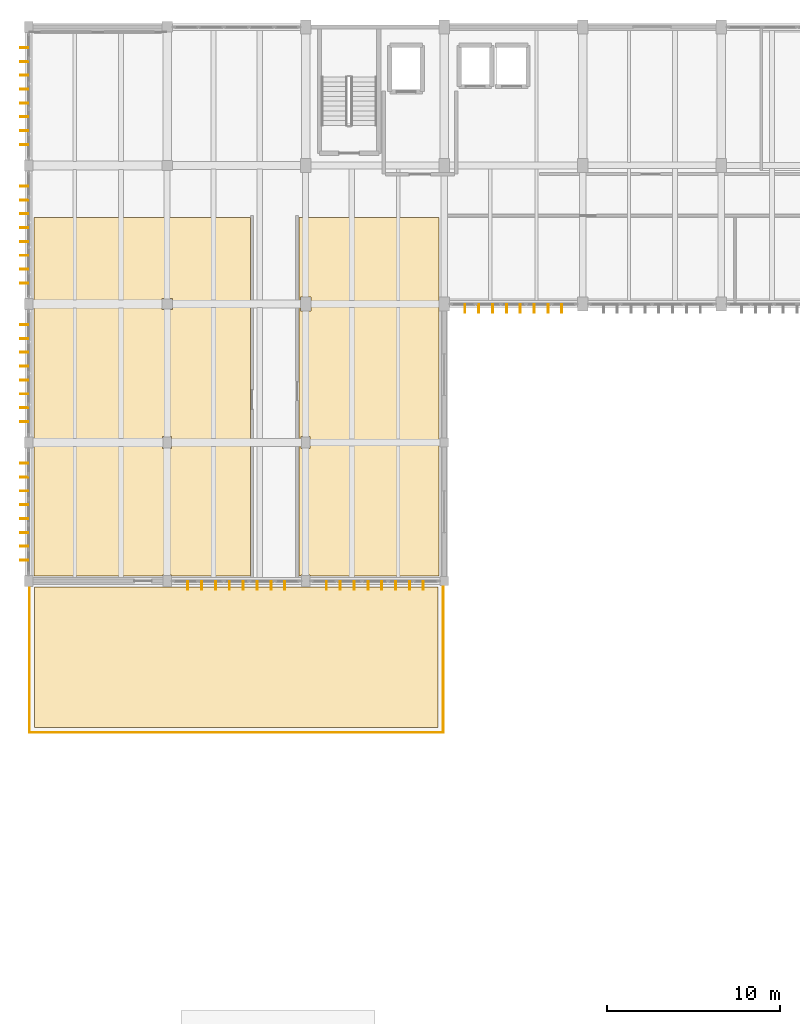
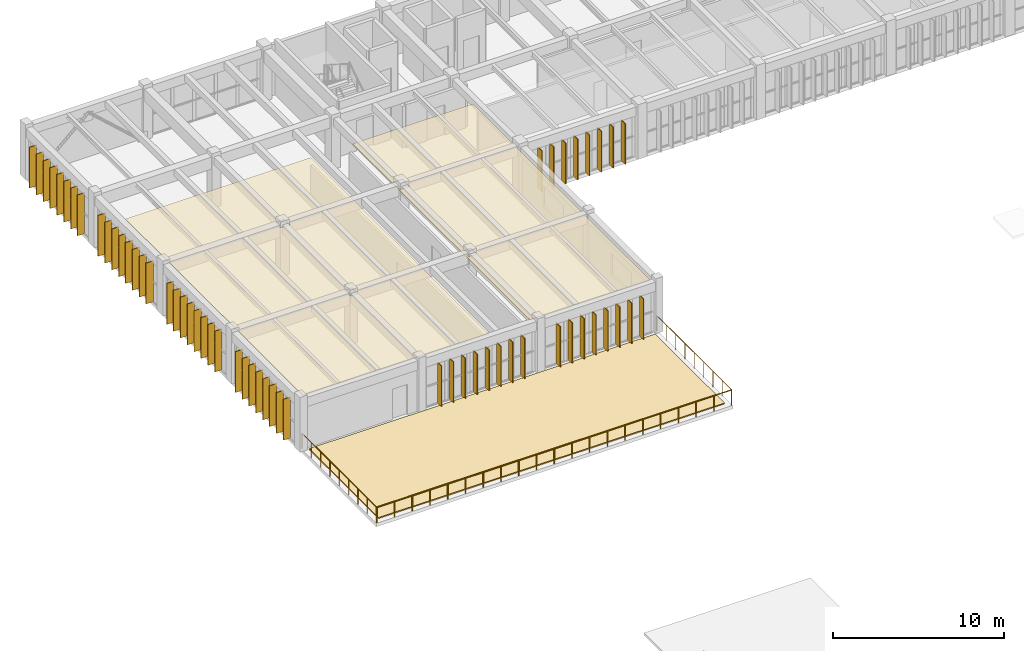
# One storey, part 24 of 31: 56 shading devices, 3 coverings, 3 railings.
"""IFC4 building model written with IfcOpenShell, lengths in metres."""

import ifcopenshell
import ifcopenshell.guid

model = None  # the IFC model being written
_history = None  # IfcOwnerHistory: only IFC2X3 demands one
_inside = {}  # id of a spatial element -> (the spatial element, [elements in it])
_under = {}  # id of a project, library or spatial element -> (it, [spatial elements below it])
_declared = {}  # id of a project -> (the project, [libraries it declares])
_typed = {}  # id of a type object -> (the type object, [elements of that type])
_made_of = {}  # id of a material, layer set ... -> (it, [elements and type objects made of it])


def new_model(schema):
    """Start an empty IFC model of exactly this schema.

    Asked for "IFC4X3", IfcOpenShell would pick the latest addendum, in which some entities
    have other attributes; the version numbers below select the first issue.
    IFC2X3 requires an IfcOwnerHistory on every rooted entity: one is made here for all.
    """
    global model, _history
    if schema == "IFC4X3":
        model = ifcopenshell.file(schema_version=(4, 3, 0, 0))
    else:
        model = ifcopenshell.file(schema=schema)
    _inside.clear()
    _under.clear()
    _declared.clear()
    _typed.clear()
    _made_of.clear()
    _history = None
    if model.schema == "IFC2X3":
        org = make("IfcOrganization", Name="unknown")
        user = make(
            "IfcPersonAndOrganization",
            ThePerson=make("IfcPerson", FamilyName="unknown"),
            TheOrganization=org,
        )
        app = make(
            "IfcApplication",
            ApplicationDeveloper=org,
            Version="unknown",
            ApplicationFullName="unknown",
            ApplicationIdentifier="unknown",
        )
        _history = make(
            "IfcOwnerHistory",
            OwningUser=user,
            OwningApplication=app,
            ChangeAction="ADDED",
            CreationDate=0,
        )
    return model


def make(cls, **values):
    """One entity of the class cls with the attributes given. An attribute that is None is left unset."""
    return model.create_entity(
        cls, **{name: value for name, value in values.items() if value is not None}
    )


def rooted(cls, **values):
    """An entity with a GlobalId (a new one), such as an element, a storey or a relation."""
    return make(cls, GlobalId=ifcopenshell.guid.new(), OwnerHistory=_history, **values)


def si_unit(unit_type, name, prefix=None):
    """IfcSIUnit, for example si_unit("LENGTHUNIT", "METRE", prefix="MILLI")."""
    return make("IfcSIUnit", UnitType=unit_type, Prefix=prefix, Name=name)


def assignment(units):
    """IfcUnitAssignment: the units of a project."""
    return None if units is None else make("IfcUnitAssignment", Units=units)


def point(xyz):
    """IfcCartesianPoint."""
    return None if xyz is None else make("IfcCartesianPoint", Coordinates=xyz)


def direction(xyz):
    """IfcDirection."""
    return None if xyz is None else make("IfcDirection", DirectionRatios=xyz)


def frame(location, z_axis=None, x_axis=None):
    """IfcAxis2Placement3D, a coordinate frame: its origin and axes. An axis left out is left unset."""
    return make(
        "IfcAxis2Placement3D",
        Location=point(location),
        Axis=direction(z_axis),
        RefDirection=direction(x_axis),
    )


def frame_2d(location, x_axis=None):
    """IfcAxis2Placement2D, a coordinate frame in the plane: its origin and x axis."""
    return make(
        "IfcAxis2Placement2D", Location=point(location), RefDirection=direction(x_axis)
    )


def origin():
    """The frame at (0, 0, 0) with its axes left unset."""
    return frame((0.0, 0.0, 0.0))


def origin_2d():
    """The frame at (0, 0) in the plane with its x axis left unset."""
    return frame_2d((0.0, 0.0))


def place(relative_to, where):
    """IfcLocalPlacement: puts the frame where relative to a parent placement (None: the world)."""
    return make(
        "IfcLocalPlacement", PlacementRelTo=relative_to, RelativePlacement=where
    )


def context(
    kind, dimensions, precision=None, world=None, true_north=None, identifier=None
):
    """IfcGeometricRepresentationContext, for example the 3D "Model" context."""
    return make(
        "IfcGeometricRepresentationContext",
        ContextIdentifier=identifier,
        ContextType=kind,
        CoordinateSpaceDimension=dimensions,
        Precision=precision,
        WorldCoordinateSystem=world,
        TrueNorth=true_north,
    )


def subcontext(parent, identifier, kind, view, scale=None):
    """IfcGeometricRepresentationSubContext, for example "Body" below "Model"."""
    return make(
        "IfcGeometricRepresentationSubContext",
        ContextIdentifier=identifier,
        ContextType=kind,
        ParentContext=parent,
        TargetScale=scale,
        TargetView=view,
    )


def project(units=None, contexts=None):
    """IfcProject with its units and contexts."""
    return rooted(
        "IfcProject",
        Name="project",
        RepresentationContexts=contexts,
        UnitsInContext=assignment(units),
    )


def spatial(cls, under=None, at=None, **own):
    """A site, building, storey or space (cls), placed at a placement, below another one or the project."""
    s = rooted(cls, ObjectPlacement=at, **own)
    if under is not None:
        _under.setdefault(under.id(), (under, []))[1].append(s)
    return s


def polyline(points):
    """IfcPolyline through the points."""
    return make("IfcPolyline", Points=[point(p) for p in points])


def profile(cls, at=None, kind="AREA", **sizes):
    """A parametric profile (cls). Its sizes go by their IFC names, for example OverallWidth=200.0."""
    return make(cls, ProfileType=kind, Position=at, **sizes)


def rectangle(**sizes):
    """IfcRectangleProfileDef."""
    return profile("IfcRectangleProfileDef", **sizes)


def circle(**sizes):
    """IfcCircleProfileDef."""
    return profile("IfcCircleProfileDef", **sizes)


def outline(outer, holes=None, kind="AREA"):
    """IfcArbitraryClosedProfileDef: a profile drawn as a closed curve; with holes, ...WithVoids."""
    if holes is None:
        return make("IfcArbitraryClosedProfileDef", ProfileType=kind, OuterCurve=outer)
    return make(
        "IfcArbitraryProfileDefWithVoids",
        ProfileType=kind,
        OuterCurve=outer,
        InnerCurves=holes,
    )


def extrude(swept, where, along, depth):
    """IfcExtrudedAreaSolid: the profile swept, set in the frame where, extruded along a direction by depth."""
    return make(
        "IfcExtrudedAreaSolid",
        SweptArea=swept,
        Position=where,
        ExtrudedDirection=direction(along),
        Depth=depth,
    )


def shape(context_of_items, identifier, shape_type, items):
    """IfcShapeRepresentation: the items that make up one representation, for example the "Body"."""
    return make(
        "IfcShapeRepresentation",
        ContextOfItems=context_of_items,
        RepresentationIdentifier=identifier,
        RepresentationType=shape_type,
        Items=items,
    )


def material(Name=None, Category=None):
    """IfcMaterial."""
    return make("IfcMaterial", Name=Name, Category=Category)


def layer(
    of_material, thickness, ventilated=None, Name=None, Category=None, Priority=None
):
    """IfcMaterialLayer: one layer of a wall or slab, of a material (None: an air gap)."""
    return make(
        "IfcMaterialLayer",
        Material=of_material,
        LayerThickness=thickness,
        IsVentilated=ventilated,
        Name=Name,
        Category=Category,
        Priority=Priority,
    )


def layer_set(layers, Name=None):
    """IfcMaterialLayerSet."""
    return make("IfcMaterialLayerSet", MaterialLayers=layers, LayerSetName=Name)


def made_of(thing, what):
    """Note that an element or type object is made of a material, layer set ...; save() writes the relation."""
    if what is not None:
        _made_of.setdefault(what.id(), (what, []))[1].append(thing)
    return thing


def type_object(cls, material=None, **own):
    """A type object (cls), such as IfcWallType, which elements share."""
    return made_of(rooted(cls, **own), material)


def element(
    cls,
    number,
    at=None,
    inside=None,
    cuts=None,
    type_object=None,
    material=None,
    context=None,
    identifier="Body",
    shape_type=None,
    held_by="IfcProductDefinitionShape",
    body=None,
    shapes=None,
    **own,
):
    """One element of the class cls, such as IfcWall. Its Tag is "e" and its number.

    at: its placement. inside: the storey or other place that contains it. cuts: it is an
    opening in that element (IfcRelVoidsElement). A single representation is given by context,
    identifier, shape_type and body (its items); several are given by shapes. held_by: the class
    of the entity that holds the representations. save() writes the other relations.
    """
    e = rooted(cls, Tag="e%d" % number, ObjectPlacement=at, **own)
    if body is not None:
        shapes = [shape(context, identifier, shape_type, body)]
    if shapes is not None:
        e.Representation = make(held_by, Representations=shapes)
    if inside is not None:
        _inside.setdefault(inside.id(), (inside, []))[1].append(e)
    if cuts is not None:
        rooted(
            "IfcRelVoidsElement", RelatingBuildingElement=cuts, RelatedOpeningElement=e
        )
    if type_object is not None:
        _typed.setdefault(type_object.id(), (type_object, []))[1].append(e)
    return made_of(e, material)


def aggregate(whole, parts):
    """IfcRelAggregates: a whole, such as a stair, and the parts it consists of."""
    return rooted("IfcRelAggregates", RelatingObject=whole, RelatedObjects=parts)


def save(model, path):
    """Write the relations noted so far, then the file.

    IfcRelAggregates (storeys below a building ...), IfcRelContainedInSpatialStructure (elements
    in a storey), IfcRelDefinesByType, IfcRelAssociatesMaterial and IfcRelDeclares: one each for
    every whole, place, type object, material and project.
    """
    for whole, parts in _under.values():
        aggregate(whole, parts)
    for where, things in _inside.values():
        rooted(
            "IfcRelContainedInSpatialStructure",
            RelatedElements=things,
            RelatingStructure=where,
        )
    for kind, things in _typed.values():
        rooted("IfcRelDefinesByType", RelatedObjects=things, RelatingType=kind)
    for what, things in _made_of.values():
        rooted("IfcRelAssociatesMaterial", RelatedObjects=things, RelatingMaterial=what)
    for by, libraries in _declared.values():
        rooted("IfcRelDeclares", RelatingContext=by, RelatedDefinitions=libraries)
    model.write(path)


model = new_model("IFC4")

# Units and contexts
model_context = context("Model", 3, precision=1e-05, world=origin(), true_north=direction((0.0, 1.0)))
body_context = subcontext(model_context, "Body", "Model", "MODEL_VIEW")
ifc_project = project(units=[si_unit("LENGTHUNIT", "METRE"), si_unit("AREAUNIT", "SQUARE_METRE"), si_unit("VOLUMEUNIT", "CUBIC_METRE"), si_unit("PLANEANGLEUNIT", "RADIAN"), si_unit("MASSUNIT", "GRAM", prefix="KILO")], contexts=[model_context])

# Site, building, storey
site_placement = place(None, origin())
site = spatial("IfcSite", under=ifc_project, at=site_placement, CompositionType="ELEMENT")
building_placement = place(site_placement, origin())
building = spatial("IfcBuilding", under=site, at=building_placement, Name="Tlaxcora Railside Police Headquarters", CompositionType="ELEMENT")
storey_placement = place(building_placement, frame((0.0, 0.0, 18.0)))
storey = spatial("IfcBuildingStorey", under=building, at=storey_placement, Name="L04", CompositionType="ELEMENT", Elevation=18.0)

# Coverings
ifc_material_1 = material(Name="Mineral-fibre acoustic ceiling tile")
ifc_layer_1 = layer(ifc_material_1, 0.034912109375, Name="Mineral-fibre acoustic ceiling tile")
ifc_layer_set_1 = layer_set([ifc_layer_1], Name="Mineral-fibre acoustic ceiling tile")
covering_type_1 = type_object("IfcCoveringType", Name="Acoustic Suspended Ceiling CLG-01", PredefinedType="CEILING", material=ifc_layer_set_1)
covering_1_placement = place(storey_placement, frame((0.0, 0.0, 3.465087890625)))
element("IfcCovering", 1, at=covering_1_placement, inside=storey, type_object=covering_type_1, Name="VIP and Diplomatic Protection Unit suspended ceiling", PredefinedType="CEILING", context=body_context, shape_type="SweptSolid", body=[
    extrude(outline(polyline([(18.0, 61.10009765625), (18.0, 81.800048828125), (5.5, 81.800048828125), (5.5, 61.10009765625), (12.93994140625, 61.10009765625), (12.93994140625, 61.135009765625), (13.4599609375, 61.135009765625), (13.4599609375, 61.10009765625), (18.0, 61.10009765625)]), holes=[polyline([(13.4599609375, 69.135009765625), (13.4599609375, 68.465087890625), (12.93994140625, 68.465087890625), (12.93994140625, 69.135009765625), (13.4599609375, 69.135009765625)]), polyline([(13.510009765625, 76.489990234375), (12.889892578125, 76.489990234375), (12.889892578125, 77.110107421875), (13.510009765625, 77.110107421875), (13.510009765625, 76.489990234375)])]), origin(), (0.0, 0.0, 1.0), 0.034912109375),
])
covering_2_placement = place(storey_placement, frame((0.0, 0.0, 3.465087890625)))
element("IfcCovering", 2, at=covering_2_placement, inside=storey, type_object=covering_type_1, Name="Court-Side Case Team Room L04 suspended ceiling", PredefinedType="CEILING", context=body_context, shape_type="SweptSolid", body=[
    extrude(outline(polyline([(21.4599609375, 61.10009765625), (28.89990234375, 61.10009765625), (28.89990234375, 76.389892578125), (28.889892578125, 76.389892578125), (28.889892578125, 77.2099609375), (28.89990234375, 77.2099609375), (28.89990234375, 81.800048828125), (20.800048828125, 81.800048828125), (20.800048828125, 61.10009765625), (20.93994140625, 61.10009765625), (20.93994140625, 61.135009765625), (21.4599609375, 61.135009765625), (21.4599609375, 61.10009765625)]), holes=[polyline([(20.93994140625, 69.135009765625), (21.4599609375, 69.135009765625), (21.4599609375, 68.465087890625), (20.93994140625, 68.465087890625), (20.93994140625, 69.135009765625)]), polyline([(21.510009765625, 77.2099609375), (21.510009765625, 76.389892578125), (20.889892578125, 76.389892578125), (20.889892578125, 77.2099609375), (21.510009765625, 77.2099609375)])]), origin(), (0.0, 0.0, 1.0), 0.034912109375),
])
ifc_material_2 = material(Name="Modified EPDM waterproofing and volcanic-ash protection membrane")
ifc_layer_2 = layer(ifc_material_2, 0.080078125, Name="Modified EPDM waterproofing and volcanic-ash protection membrane")
ifc_layer_set_2 = layer_set([ifc_layer_2], Name="Modified EPDM waterproofing and volcanic-ash protection membrane")
covering_type_2 = type_object("IfcCoveringType", Name="Planted Roof Garden Waterproofing RF-01", PredefinedType="ROOFING", material=ifc_layer_set_2)
covering_3_placement = place(storey_placement, origin())
element("IfcCovering", 3, at=covering_3_placement, inside=storey, type_object=covering_type_2, Name="TERR-V5-L04-S planted waterproofing layer", PredefinedType="ROOFING", context=body_context, shape_type="SweptSolid", body=[
    extrude(outline(polyline([(28.85009765625, 52.35009765625), (28.85009765625, 60.449951171875), (5.550048828125, 60.449951171875), (5.550048828125, 52.35009765625), (28.85009765625, 52.35009765625)])), origin(), (0.0, 0.0, 1.0), 0.080078125),
])

# Shading devices
ifc_material_3 = material(Name="Anodised aluminium framing", Category="aluminium")
ifc_layer_3 = layer(ifc_material_3, 0.054931640625, Name="Anodised aluminium framing")
ifc_layer_set_3 = layer_set([ifc_layer_3], Name="Anodised aluminium framing")
shading_device_type = type_object("IfcShadingDeviceType", Name="Solar Control Fin SF-01", PredefinedType="JALOUSIE", material=ifc_layer_set_3)
for number, where, z_axis, x_axis, name in (
    (4, (14.39990234375, 60.5400390625, 0.0400390625), (0.0, 0.0, 1.0), (0.0, -1.0, 0.0), "Vertical solar fin 388"),
    (5, (15.199951171875, 60.5400390625, 0.0400390625), (0.0, 0.0, 1.0), (0.0, -1.0, 0.0), "Vertical solar fin 389"),
    (6, (16.0, 60.5400390625, 0.0400390625), (0.0, 0.0, 1.0), (0.0, -1.0, 0.0), "Vertical solar fin 390"),
    (7, (16.800048828125, 60.5400390625, 0.0400390625), (0.0, 0.0, 1.0), (0.0, -1.0, 0.0), "Vertical solar fin 391"),
    (8, (17.60009765625, 60.5400390625, 0.0400390625), (0.0, 0.0, 1.0), (0.0, -1.0, 0.0), "Vertical solar fin 392"),
    (9, (18.39990234375, 60.5400390625, 0.0400390625), (0.0, 0.0, 1.0), (0.0, -1.0, 0.0), "Vertical solar fin 393"),
    (10, (19.199951171875, 60.5400390625, 0.0400390625), (0.0, 0.0, 1.0), (0.0, -1.0, 0.0), "Vertical solar fin 394"),
    (11, (20.0, 60.5400390625, 0.0400390625), (0.0, 0.0, 1.0), (0.0, -1.0, 0.0), "Vertical solar fin 395"),
    (12, (22.39990234375, 60.5400390625, 0.0400390625), (0.0, 0.0, 1.0), (0.0, -1.0, 0.0), "Vertical solar fin 396"),
    (13, (23.199951171875, 60.5400390625, 0.0400390625), (0.0, 0.0, 1.0), (0.0, -1.0, 0.0), "Vertical solar fin 397"),
    (14, (24.0, 60.5400390625, 0.0400390625), (0.0, 0.0, 1.0), (0.0, -1.0, 0.0), "Vertical solar fin 398"),
    (15, (24.800048828125, 60.5400390625, 0.0400390625), (0.0, 0.0, 1.0), (0.0, -1.0, 0.0), "Vertical solar fin 399"),
    (16, (25.60009765625, 60.5400390625, 0.0400390625), (0.0, 0.0, 1.0), (0.0, -1.0, 0.0), "Vertical solar fin 400"),
    (17, (26.39990234375, 60.5400390625, 0.0400390625), (0.0, 0.0, 1.0), (0.0, -1.0, 0.0), "Vertical solar fin 401"),
    (18, (27.199951171875, 60.5400390625, 0.0400390625), (0.0, 0.0, 1.0), (0.0, -1.0, 0.0), "Vertical solar fin 402"),
    (19, (28.0, 60.5400390625, 0.0400390625), (0.0, 0.0, 1.0), (0.0, -1.0, 0.0), "Vertical solar fin 403"),
    (20, (30.39990234375, 76.5400390625, 0.0400390625), (0.0, 0.0, 1.0), (0.0, -1.0, 0.0), "Vertical solar fin 404"),
    (21, (31.199951171875, 76.5400390625, 0.0400390625), (0.0, 0.0, 1.0), (0.0, -1.0, 0.0), "Vertical solar fin 405"),
    (22, (32.0, 76.5400390625, 0.0400390625), (0.0, 0.0, 1.0), (0.0, -1.0, 0.0), "Vertical solar fin 406"),
    (23, (32.800048828125, 76.5400390625, 0.0400390625), (0.0, 0.0, 1.0), (0.0, -1.0, 0.0), "Vertical solar fin 407"),
    (24, (33.60009765625, 76.5400390625, 0.0400390625), (0.0, 0.0, 1.0), (0.0, -1.0, 0.0), "Vertical solar fin 408"),
    (25, (34.39990234375, 76.5400390625, 0.0400390625), (0.0, 0.0, 1.0), (0.0, -1.0, 0.0), "Vertical solar fin 409"),
    (26, (35.199951171875, 76.5400390625, 0.0400390625), (0.0, 0.0, 1.0), (0.0, -1.0, 0.0), "Vertical solar fin 410"),
    (27, (36.0, 76.5400390625, 0.0400390625), (0.0, 0.0, 1.0), (0.0, -1.0, 0.0), "Vertical solar fin 411"),
    (28, (4.93994140625, 91.60009765625, 0.0400390625), (0.0, 0.0, 1.0), (-1.0, 0.0, 0.0), "Vertical solar fin 469"),
    (29, (4.93994140625, 90.800048828125, 0.0400390625), (0.0, 0.0, 1.0), (-1.0, 0.0, 0.0), "Vertical solar fin 470"),
    (30, (4.93994140625, 90.0, 0.0400390625), (0.0, 0.0, 1.0), (-1.0, 0.0, 0.0), "Vertical solar fin 471"),
    (31, (4.93994140625, 89.199951171875, 0.0400390625), (0.0, 0.0, 1.0), (-1.0, 0.0, 0.0), "Vertical solar fin 472"),
    (32, (4.93994140625, 88.39990234375, 0.0400390625), (0.0, 0.0, 1.0), (-1.0, 0.0, 0.0), "Vertical solar fin 473"),
    (33, (4.93994140625, 87.60009765625, 0.0400390625), (0.0, 0.0, 1.0), (-1.0, 0.0, 0.0), "Vertical solar fin 474"),
    (34, (4.93994140625, 86.800048828125, 0.0400390625), (0.0, 0.0, 1.0), (-1.0, 0.0, 0.0), "Vertical solar fin 475"),
    (35, (4.93994140625, 86.0, 0.0400390625), (0.0, 0.0, 1.0), (-1.0, 0.0, 0.0), "Vertical solar fin 476"),
    (36, (4.93994140625, 83.60009765625, 0.0400390625), (0.0, 0.0, 1.0), (-1.0, 0.0, 0.0), "Vertical solar fin 477"),
    (37, (4.93994140625, 82.800048828125, 0.0400390625), (0.0, 0.0, 1.0), (-1.0, 0.0, 0.0), "Vertical solar fin 478"),
    (38, (4.93994140625, 82.0, 0.0400390625), (0.0, 0.0, 1.0), (-1.0, 0.0, 0.0), "Vertical solar fin 479"),
    (39, (4.93994140625, 81.199951171875, 0.0400390625), (0.0, 0.0, 1.0), (-1.0, 0.0, 0.0), "Vertical solar fin 480"),
    (40, (4.93994140625, 80.39990234375, 0.0400390625), (0.0, 0.0, 1.0), (-1.0, 0.0, 0.0), "Vertical solar fin 481"),
    (41, (4.93994140625, 79.60009765625, 0.0400390625), (0.0, 0.0, 1.0), (-1.0, 0.0, 0.0), "Vertical solar fin 482"),
    (42, (4.93994140625, 78.800048828125, 0.0400390625), (0.0, 0.0, 1.0), (-1.0, 0.0, 0.0), "Vertical solar fin 483"),
    (43, (4.93994140625, 78.0, 0.0400390625), (0.0, 0.0, 1.0), (-1.0, 0.0, 0.0), "Vertical solar fin 484"),
    (44, (4.93994140625, 75.60009765625, 0.0400390625), (0.0, 0.0, 1.0), (-1.0, 0.0, 0.0), "Vertical solar fin 485"),
    (45, (4.93994140625, 74.800048828125, 0.0400390625), (0.0, 0.0, 1.0), (-1.0, 0.0, 0.0), "Vertical solar fin 486"),
    (46, (4.93994140625, 74.0, 0.0400390625), (0.0, 0.0, 1.0), (-1.0, 0.0, 0.0), "Vertical solar fin 487"),
    (47, (4.93994140625, 73.199951171875, 0.0400390625), (0.0, 0.0, 1.0), (-1.0, 0.0, 0.0), "Vertical solar fin 488"),
    (48, (4.93994140625, 72.39990234375, 0.0400390625), (0.0, 0.0, 1.0), (-1.0, 0.0, 0.0), "Vertical solar fin 489"),
    (49, (4.93994140625, 71.60009765625, 0.0400390625), (0.0, 0.0, 1.0), (-1.0, 0.0, 0.0), "Vertical solar fin 490"),
    (50, (4.93994140625, 70.800048828125, 0.0400390625), (0.0, 0.0, 1.0), (-1.0, 0.0, 0.0), "Vertical solar fin 491"),
    (51, (4.93994140625, 70.0, 0.0400390625), (0.0, 0.0, 1.0), (-1.0, 0.0, 0.0), "Vertical solar fin 492"),
    (52, (4.93994140625, 67.60009765625, 0.0400390625), (0.0, 0.0, 1.0), (-1.0, 0.0, 0.0), "Vertical solar fin 493"),
    (53, (4.93994140625, 66.800048828125, 0.0400390625), (0.0, 0.0, 1.0), (-1.0, 0.0, 0.0), "Vertical solar fin 494"),
    (54, (4.93994140625, 66.0, 0.0400390625), (0.0, 0.0, 1.0), (-1.0, 0.0, 0.0), "Vertical solar fin 495"),
    (55, (4.93994140625, 65.199951171875, 0.0400390625), (0.0, 0.0, 1.0), (-1.0, 0.0, 0.0), "Vertical solar fin 496"),
    (56, (4.93994140625, 64.39990234375, 0.0400390625), (0.0, 0.0, 1.0), (-1.0, 0.0, 0.0), "Vertical solar fin 497"),
    (57, (4.93994140625, 63.60009765625, 0.0400390625), (0.0, 0.0, 1.0), (-1.0, 0.0, 0.0), "Vertical solar fin 498"),
    (58, (4.93994140625, 62.800048828125, 0.0400390625), (0.0, 0.0, 1.0), (-1.0, 0.0, 0.0), "Vertical solar fin 499"),
    (59, (4.93994140625, 62.0, 0.0400390625), (0.0, 0.0, 1.0), (-1.0, 0.0, 0.0), "Vertical solar fin 500"),
):
    element("IfcShadingDevice", number, at=place(storey_placement, frame(where, z_axis=z_axis, x_axis=x_axis)), inside=storey, type_object=shading_device_type, Name=name, PredefinedType="JALOUSIE", context=body_context, shape_type="SweptSolid", body=[
        extrude(rectangle(XDim=0.47998046875, YDim=0.054931640625, at=origin_2d()), origin(), (0.0, 0.0, 1.0), 2.909912109375),
    ])

# Railings
ifc_material_4 = material(Name="Steel ASTM A992 Grade 50", Category="steel")
railing_type = type_object("IfcRailingType", Name="Terrace Perimeter Guard Balustrade GR-01", PredefinedType="BALUSTRADE", material=ifc_material_4)
railing_placement = place(storey_placement, frame((5.25, 52.050048828125, 0.0)))
element("IfcRailing", 60, at=railing_placement, inside=storey, type_object=railing_type, Name="TERR-V5-L04-S perimeter guard 1", PredefinedType="BALUSTRADE", context=body_context, shape_type="SweptSolid", body=[
    extrude(circle(Radius=0.02392578125, at=origin_2d()), frame((0.0, 0.0, 1.09619140625), z_axis=(1.0, 0.0, 0.0), x_axis=(0.0, 1.0, 0.0)), (0.0, 0.0, 1.0), 23.89990234375),
    extrude(circle(Radius=0.02099609375, at=origin_2d()), origin(), (0.0, 0.0, 1.0), 1.072021484375),
    extrude(circle(Radius=0.02099609375, at=origin_2d()), frame((1.195068359375, 0.0, 0.0)), (0.0, 0.0, 1.0), 1.072021484375),
    extrude(circle(Radius=0.02099609375, at=origin_2d()), frame((2.389892578125, 0.0, 0.0)), (0.0, 0.0, 1.0), 1.072021484375),
    extrude(circle(Radius=0.02099609375, at=origin_2d()), frame((3.5849609375, 0.0, 0.0)), (0.0, 0.0, 1.0), 1.072021484375),
    extrude(circle(Radius=0.02099609375, at=origin_2d()), frame((4.780029296875, 0.0, 0.0)), (0.0, 0.0, 1.0), 1.072021484375),
    extrude(circle(Radius=0.02099609375, at=origin_2d()), frame((5.97509765625, 0.0, 0.0)), (0.0, 0.0, 1.0), 1.072021484375),
    extrude(circle(Radius=0.02099609375, at=origin_2d()), frame((7.169921875, 0.0, 0.0)), (0.0, 0.0, 1.0), 1.072021484375),
    extrude(circle(Radius=0.02099609375, at=origin_2d()), frame((8.364990234375, 0.0, 0.0)), (0.0, 0.0, 1.0), 1.072021484375),
    extrude(circle(Radius=0.02099609375, at=origin_2d()), frame((9.56005859375, 0.0, 0.0)), (0.0, 0.0, 1.0), 1.072021484375),
    extrude(circle(Radius=0.02099609375, at=origin_2d()), frame((10.7548828125, 0.0, 0.0)), (0.0, 0.0, 1.0), 1.072021484375),
    extrude(circle(Radius=0.02099609375, at=origin_2d()), frame((11.949951171875, 0.0, 0.0)), (0.0, 0.0, 1.0), 1.072021484375),
    extrude(circle(Radius=0.02099609375, at=origin_2d()), frame((13.14501953125, 0.0, 0.0)), (0.0, 0.0, 1.0), 1.072021484375),
    extrude(circle(Radius=0.02099609375, at=origin_2d()), frame((14.33984375, 0.0, 0.0)), (0.0, 0.0, 1.0), 1.072021484375),
    extrude(circle(Radius=0.02099609375, at=origin_2d()), frame((15.534912109375, 0.0, 0.0)), (0.0, 0.0, 1.0), 1.072021484375),
    extrude(circle(Radius=0.02099609375, at=origin_2d()), frame((16.72998046875, 0.0, 0.0)), (0.0, 0.0, 1.0), 1.072021484375),
    extrude(circle(Radius=0.02099609375, at=origin_2d()), frame((17.9248046875, 0.0, 0.0)), (0.0, 0.0, 1.0), 1.072021484375),
    extrude(circle(Radius=0.02099609375, at=origin_2d()), frame((19.119873046875, 0.0, 0.0)), (0.0, 0.0, 1.0), 1.072021484375),
    extrude(circle(Radius=0.02099609375, at=origin_2d()), frame((20.31494140625, 0.0, 0.0)), (0.0, 0.0, 1.0), 1.072021484375),
    extrude(circle(Radius=0.02099609375, at=origin_2d()), frame((21.510009765625, 0.0, 0.0)), (0.0, 0.0, 1.0), 1.072021484375),
    extrude(circle(Radius=0.02099609375, at=origin_2d()), frame((22.704833984375, 0.0, 0.0)), (0.0, 0.0, 1.0), 1.072021484375),
    extrude(circle(Radius=0.02099609375, at=origin_2d()), frame((23.89990234375, 0.0, 0.0)), (0.0, 0.0, 1.0), 1.072021484375),
])
for number, where, name in (
    (61, (29.14990234375, 52.050048828125, 0.0), "TERR-V5-L04-S perimeter guard 2"),
    (62, (5.25, 52.050048828125, 0.0), "TERR-V5-L04-S perimeter guard 3"),
):
    element("IfcRailing", number, at=place(storey_placement, frame(where)), inside=storey, type_object=railing_type, Name=name, PredefinedType="BALUSTRADE", context=body_context, shape_type="SweptSolid", body=[
        extrude(circle(Radius=0.02392578125, at=origin_2d()), frame((0.0, 0.0, 1.09619140625), z_axis=(0.0, 1.0, 0.0), x_axis=(-1.0, 0.0, 0.0)), (0.0, 0.0, 1.0), 8.699951171875),
        extrude(circle(Radius=0.02099609375, at=origin_2d()), origin(), (0.0, 0.0, 1.0), 1.072021484375),
        extrude(circle(Radius=0.02099609375, at=origin_2d()), frame((0.0, 1.08740234375, 0.0)), (0.0, 0.0, 1.0), 1.072021484375),
        extrude(circle(Radius=0.02099609375, at=origin_2d()), frame((0.0, 2.175048828125, 0.0)), (0.0, 0.0, 1.0), 1.072021484375),
        extrude(circle(Radius=0.02099609375, at=origin_2d()), frame((0.0, 3.262451171875, 0.0)), (0.0, 0.0, 1.0), 1.072021484375),
        extrude(circle(Radius=0.02099609375, at=origin_2d()), frame((0.0, 4.35009765625, 0.0)), (0.0, 0.0, 1.0), 1.072021484375),
        extrude(circle(Radius=0.02099609375, at=origin_2d()), frame((0.0, 5.4375, 0.0)), (0.0, 0.0, 1.0), 1.072021484375),
        extrude(circle(Radius=0.02099609375, at=origin_2d()), frame((0.0, 6.52490234375, 0.0)), (0.0, 0.0, 1.0), 1.072021484375),
        extrude(circle(Radius=0.02099609375, at=origin_2d()), frame((0.0, 7.612548828125, 0.0)), (0.0, 0.0, 1.0), 1.072021484375),
        extrude(circle(Radius=0.02099609375, at=origin_2d()), frame((0.0, 8.699951171875, 0.0)), (0.0, 0.0, 1.0), 1.072021484375),
    ])

save(model, "model.ifc")
